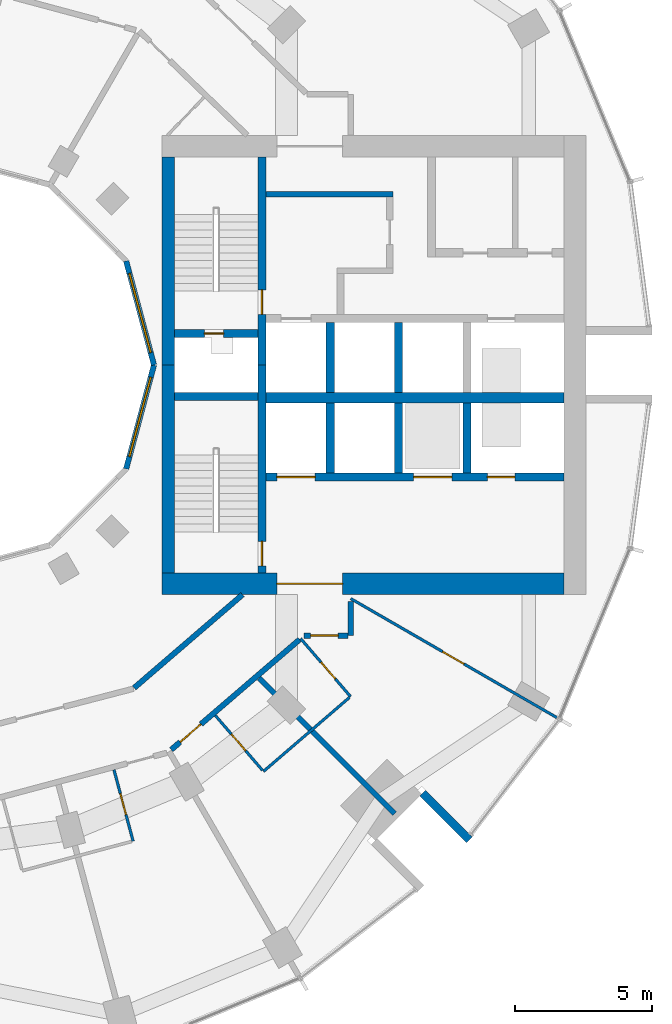
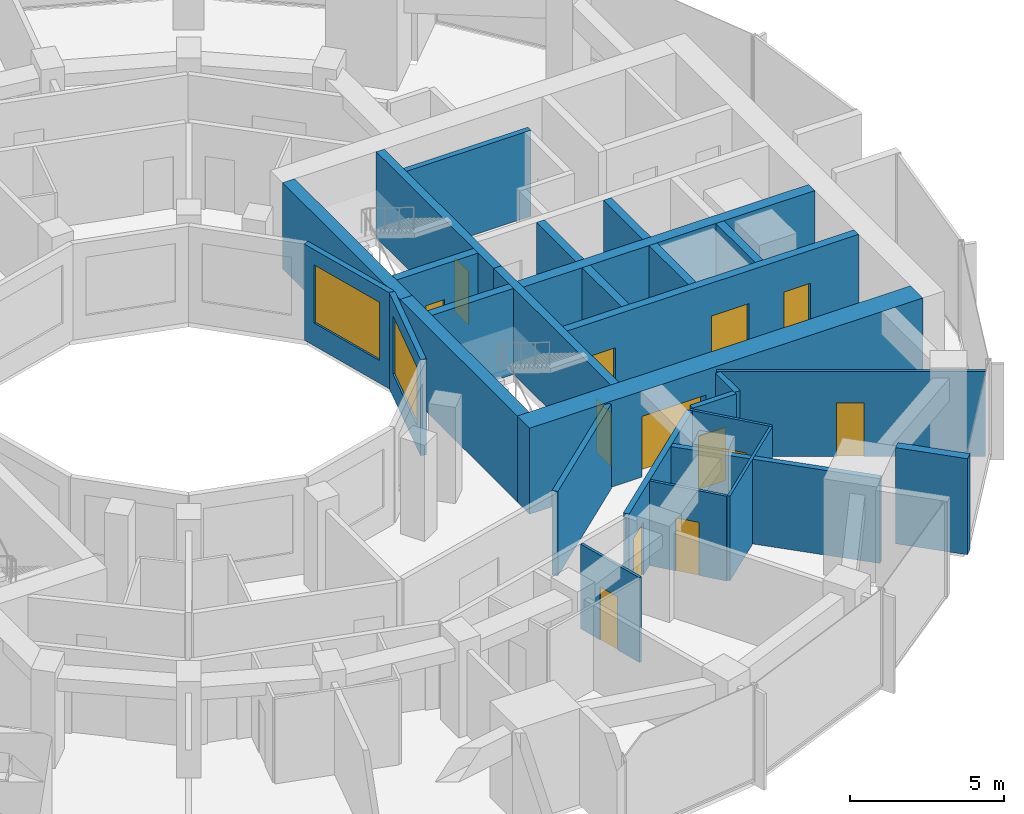
# One storey, part 10 of 15: 28 walls, 13 doors, 2 windows, 15 openings.
"""IFC4 building model written with IfcOpenShell, lengths in metres."""

from ifc_helpers import new_model, si_unit, direction, frame, frame_2d, origin, place, context, subcontext, project, spatial, rectangle, extrude, material, layer, layer_set, type_object, element, fill, save


model = new_model("IFC4")

# Units and contexts
model_context = context("Model", 3, precision=1e-05, world=origin(), true_north=direction((0.0, 1.0)))
body_context = subcontext(model_context, "Body", "Model", "MODEL_VIEW")
ifc_project = project(units=[si_unit("LENGTHUNIT", "METRE"), si_unit("AREAUNIT", "SQUARE_METRE"), si_unit("VOLUMEUNIT", "CUBIC_METRE"), si_unit("PLANEANGLEUNIT", "RADIAN"), si_unit("MASSUNIT", "GRAM", prefix="KILO")], contexts=[model_context])

# Site, building, storey
site_placement = place(None, origin())
site = spatial("IfcSite", under=ifc_project, at=site_placement, CompositionType="ELEMENT")
building_placement = place(site_placement, origin())
building = spatial("IfcBuilding", under=site, at=building_placement, Name="Torre Brocal", CompositionType="ELEMENT")
storey_placement = place(building_placement, frame((0.0, 0.0, 70.60009765625)))
storey = spatial("IfcBuildingStorey", under=building, at=storey_placement, Name="L16", CompositionType="ELEMENT", Elevation=70.60009765625)

# Wall
ifc_material_1 = material(Name="Concrete C80", Category="concrete")
ifc_layer_1 = layer(ifc_material_1, 0.199951171875)
ifc_layer_set_1 = layer_set([ifc_layer_1], Name="Concrete C80")
wall_type_1 = type_object("IfcWallType", Name="CORE WALL 200 C80 UNDER 400 SLAB", PredefinedType="SHEAR", material=ifc_layer_set_1)
wall_1_placement = place(storey_placement, frame((91.699951171875, 81.25, 0.0), z_axis=(0.0, 0.0, 1.0), x_axis=(1.0, 0.0, 0.0)))
element("IfcWall", 1, at=wall_1_placement, inside=storey, type_object=wall_type_1, Name="Wall CW200-80-S400", PredefinedType="SHEAR", context=body_context, shape_type="SweptSolid", body=[
    extrude(rectangle(XDim=4.650146484375, YDim=0.199951171875, at=frame_2d((2.3251953125, 0.0))), origin(), (0.0, 0.0, 1.0), 3.39990234375),
])

# Wall, opening, door
ifc_material_2 = material(Name="Concrete C80", Category="concrete")
ifc_layer_2 = layer(ifc_material_2, 0.300048828125)
ifc_layer_set_2 = layer_set([ifc_layer_2], Name="Concrete C80")
wall_type_2 = type_object("IfcWallType", Name="CORE WALL 300 C80 UNDER 400 SLAB", PredefinedType="SHEAR", material=ifc_layer_set_2)
wall_2_placement = place(storey_placement, frame((91.550048828125, 75.0, 0.0), z_axis=(0.0, 0.0, 1.0), x_axis=(0.0, 1.0, 0.0)))
wall_2 = element("IfcWall", 2, at=wall_2_placement, inside=storey, type_object=wall_type_2, Name="Wall CW300-80-S400", PredefinedType="SHEAR", context=body_context, shape_type="SweptSolid", body=[
    extrude(rectangle(XDim=7.60009765625, YDim=0.300048828125, at=frame_2d((3.800048828125, 0.0))), origin(), (0.0, 0.0, 1.0), 3.39990234375),
])
opening_1_placement = place(wall_2_placement, frame((1.85009765625, 0.0, 0.0)))
opening_1 = element("IfcOpeningElement", 3, at=opening_1_placement, cuts=wall_2, Name="Opening E-D02", PredefinedType="OPENING", context=body_context, shape_type="SweptSolid", body=[
    extrude(rectangle(XDim=0.89990234375, YDim=2.10009765625, at=frame_2d((0.449951171875, 1.050048828125))), frame((0.0, 0.159912109375, 0.0), z_axis=(0.0, -1.0, 0.0), x_axis=(1.0, 0.0, 0.0)), (0.0, 0.0, 1.0), 0.320068359375),
])
ifc_material_3 = material(Name="Steel A653", Category="steel")
door_type_1 = type_object("IfcDoorType", Name="STAIR DOOR FD120 900X2100", OperationType="SINGLE_SWING_RIGHT", PredefinedType="DOOR", material=ifc_material_3)
door_1_placement = place(opening_1_placement, origin())
door_1 = element("IfcDoor", 4, at=door_1_placement, inside=storey, type_object=door_type_1, Name="Door E-D02", OperationType="SINGLE_SWING_LEFT", OverallHeight=2.10009765625, OverallWidth=0.89990234375, PredefinedType="DOOR", context=body_context, shape_type="SweptSolid", body=[
    extrude(rectangle(XDim=0.89990234375, YDim=2.10009765625, at=frame_2d((0.449951171875, 1.050048828125))), frame((0.0, 0.02490234375, 0.0), z_axis=(0.0, -1.0, 0.0), x_axis=(1.0, 0.0, 0.0)), (0.0, 0.0, 1.0), 0.050048828125),
])
fill(opening_1, door_1)

wall_3_placement = place(storey_placement, frame((91.550048828125, 67.39990234375, 0.0), z_axis=(0.0, 0.0, 1.0), x_axis=(0.0, 1.0, 0.0)))
wall_3 = element("IfcWall", 5, at=wall_3_placement, inside=storey, type_object=wall_type_2, Name="Wall CW300-80-S400", PredefinedType="SHEAR", context=body_context, shape_type="SweptSolid", body=[
    extrude(rectangle(XDim=7.60009765625, YDim=0.300048828125, at=frame_2d((3.800048828125, 0.0))), origin(), (0.0, 0.0, 1.0), 3.39990234375),
])
opening_2_placement = place(wall_3_placement, frame((0.25, 0.0, 0.0)))
opening_2 = element("IfcOpeningElement", 6, at=opening_2_placement, cuts=wall_3, Name="Opening E-D03", PredefinedType="OPENING", context=body_context, shape_type="SweptSolid", body=[
    extrude(rectangle(XDim=0.89990234375, YDim=2.10009765625, at=frame_2d((0.449951171875, 1.050048828125))), frame((0.0, 0.159912109375, 0.0), z_axis=(0.0, -1.0, 0.0), x_axis=(1.0, 0.0, 0.0)), (0.0, 0.0, 1.0), 0.320068359375),
])
door_2_placement = place(opening_2_placement, origin())
door_2 = element("IfcDoor", 7, at=door_2_placement, inside=storey, type_object=door_type_1, Name="Door E-D03", OperationType="SINGLE_SWING_LEFT", OverallHeight=2.10009765625, OverallWidth=0.89990234375, PredefinedType="DOOR", context=body_context, shape_type="SweptSolid", body=[
    extrude(rectangle(XDim=0.89990234375, YDim=2.10009765625, at=frame_2d((0.449951171875, 1.050048828125))), frame((0.0, 0.02490234375, 0.0), z_axis=(0.0, -1.0, 0.0), x_axis=(1.0, 0.0, 0.0)), (0.0, 0.0, 1.0), 0.050048828125),
])
fill(opening_2, door_2)

wall_4_placement = place(storey_placement, frame((88.35009765625, 76.14990234375, 0.0), z_axis=(0.0, 0.0, 1.0), x_axis=(1.0, 0.0, 0.0)))
wall_4 = element("IfcWall", 8, at=wall_4_placement, inside=storey, type_object=wall_type_2, Name="Wall CW300-80-S400", PredefinedType="SHEAR", context=body_context, shape_type="SweptSolid", body=[
    extrude(rectangle(XDim=3.0498046875, YDim=0.300048828125, at=frame_2d((1.52490234375, 0.0))), origin(), (0.0, 0.0, 1.0), 3.39990234375),
])
opening_3_placement = place(wall_4_placement, frame((1.10009765625, 0.0, 0.0)))
opening_3 = element("IfcOpeningElement", 9, at=opening_3_placement, cuts=wall_4, Name="Opening E-D01", PredefinedType="OPENING", context=body_context, shape_type="SweptSolid", body=[
    extrude(rectangle(XDim=0.699951171875, YDim=2.0, at=frame_2d((0.35009765625, 1.0))), frame((0.0, 0.159912109375, 0.0), z_axis=(0.0, -1.0, 0.0), x_axis=(1.0, 0.0, 0.0)), (0.0, 0.0, 1.0), 0.320068359375),
])
ifc_material_4 = material(Name="Steel A653", Category="steel")
door_type_2 = type_object("IfcDoorType", Name="RISER DOOR FD120 700X2000", OperationType="SINGLE_SWING_LEFT", PredefinedType="DOOR", material=ifc_material_4)
door_3_placement = place(opening_3_placement, frame((0.699951171875, 0.0, 0.0), z_axis=(0.0, 0.0, 1.0), x_axis=(-1.0, 0.0, 0.0)))
door_3 = element("IfcDoor", 10, at=door_3_placement, inside=storey, type_object=door_type_2, Name="Door E-D01", OperationType="SINGLE_SWING_RIGHT", OverallHeight=2.0, OverallWidth=0.699951171875, PredefinedType="DOOR", context=body_context, shape_type="SweptSolid", body=[
    extrude(rectangle(XDim=0.699951171875, YDim=2.0, at=frame_2d((0.35009765625, 1.0))), frame((0.0, 0.02490234375, 0.0), z_axis=(0.0, -1.0, 0.0), x_axis=(1.0, 0.0, 0.0)), (0.0, 0.0, 1.0), 0.050048828125),
])
fill(opening_3, door_3)

# Wall
wall_5_placement = place(storey_placement, frame((88.35009765625, 73.85009765625, 0.0), z_axis=(0.0, 0.0, 1.0), x_axis=(1.0, 0.0, 0.0)))
element("IfcWall", 11, at=wall_5_placement, inside=storey, type_object=wall_type_2, Name="Wall CW300-80-S400", PredefinedType="SHEAR", context=body_context, shape_type="SweptSolid", body=[
    extrude(rectangle(XDim=3.0498046875, YDim=0.300048828125, at=frame_2d((1.52490234375, 0.0))), origin(), (0.0, 0.0, 1.0), 3.39990234375),
])

# Wall, openings, doors
wall_6_placement = place(storey_placement, frame((91.699951171875, 70.89990234375, 0.0), z_axis=(0.0, 0.0, 1.0), x_axis=(1.0, 0.0, 0.0)))
wall_6 = element("IfcWall", 12, at=wall_6_placement, inside=storey, type_object=wall_type_2, Name="Wall CW300-80-S400", PredefinedType="SHEAR", context=body_context, shape_type="SweptSolid", body=[
    extrude(rectangle(XDim=10.900146484375, YDim=0.300048828125, at=frame_2d((5.4501953125, 0.0))), origin(), (0.0, 0.0, 1.0), 3.39990234375),
])
opening_4_placement = place(wall_6_placement, frame((0.39990234375, 0.0, 0.0)))
opening_4 = element("IfcOpeningElement", 13, at=opening_4_placement, cuts=wall_6, Name="Opening LD14", PredefinedType="OPENING", context=body_context, shape_type="SweptSolid", body=[
    extrude(rectangle(XDim=1.39990234375, YDim=2.10009765625, at=frame_2d((0.699951171875, 1.050048828125))), frame((0.0, 0.159912109375, 0.0), z_axis=(0.0, -1.0, 0.0), x_axis=(1.0, 0.0, 0.0)), (0.0, 0.0, 1.0), 0.320068359375),
])
opening_5_placement = place(wall_6_placement, frame((5.39990234375, 0.0, 0.0)))
opening_5 = element("IfcOpeningElement", 14, at=opening_5_placement, cuts=wall_6, Name="Opening LD14", PredefinedType="OPENING", context=body_context, shape_type="SweptSolid", body=[
    extrude(rectangle(XDim=1.39990234375, YDim=2.10009765625, at=frame_2d((0.699951171875, 1.050048828125))), frame((0.0, 0.159912109375, 0.0), z_axis=(0.0, -1.0, 0.0), x_axis=(1.0, 0.0, 0.0)), (0.0, 0.0, 1.0), 0.320068359375),
])
opening_6_placement = place(wall_6_placement, frame((8.10009765625, 0.0, 0.0)))
opening_6 = element("IfcOpeningElement", 15, at=opening_6_placement, cuts=wall_6, Name="Opening LD10", PredefinedType="OPENING", context=body_context, shape_type="SweptSolid", body=[
    extrude(rectangle(XDim=1.0, YDim=2.10009765625, at=frame_2d((0.5, 1.050048828125))), frame((0.0, 0.159912109375, 0.0), z_axis=(0.0, -1.0, 0.0), x_axis=(1.0, 0.0, 0.0)), (0.0, 0.0, 1.0), 0.320068359375),
])
ifc_material_5 = material(Name="Stainless steel AISI 316", Category="steel")
door_type_3 = type_object("IfcDoorType", Name="LIFT LANDING DOOR 1000X2100", OperationType="DOUBLE_DOOR_SLIDING", PredefinedType="DOOR", material=ifc_material_5)
door_4_placement = place(opening_6_placement, origin())
door_4 = element("IfcDoor", 16, at=door_4_placement, inside=storey, type_object=door_type_3, Name="Door LD10", OperationType="DOUBLE_DOOR_SLIDING", OverallHeight=2.10009765625, OverallWidth=1.0, PredefinedType="DOOR", context=body_context, shape_type="SweptSolid", body=[
    extrude(rectangle(XDim=1.0, YDim=2.10009765625, at=frame_2d((0.5, 1.050048828125))), frame((0.0, 0.02490234375, 0.0), z_axis=(0.0, -1.0, 0.0), x_axis=(1.0, 0.0, 0.0)), (0.0, 0.0, 1.0), 0.050048828125),
])
fill(opening_6, door_4)
ifc_material_6 = material(Name="Stainless steel AISI 316", Category="steel")
door_type_4 = type_object("IfcDoorType", Name="LIFT LANDING DOOR 1400X2100", OperationType="DOUBLE_DOOR_SLIDING", PredefinedType="DOOR", material=ifc_material_6)
door_5_placement = place(opening_4_placement, origin())
door_5 = element("IfcDoor", 17, at=door_5_placement, inside=storey, type_object=door_type_4, Name="Door LD14", OperationType="DOUBLE_DOOR_SLIDING", OverallHeight=2.10009765625, OverallWidth=1.39990234375, PredefinedType="DOOR", context=body_context, shape_type="SweptSolid", body=[
    extrude(rectangle(XDim=1.39990234375, YDim=2.10009765625, at=frame_2d((0.699951171875, 1.050048828125))), frame((0.0, 0.02490234375, 0.0), z_axis=(0.0, -1.0, 0.0), x_axis=(1.0, 0.0, 0.0)), (0.0, 0.0, 1.0), 0.050048828125),
])
fill(opening_4, door_5)
door_6_placement = place(opening_5_placement, origin())
door_6 = element("IfcDoor", 18, at=door_6_placement, inside=storey, type_object=door_type_4, Name="Door LD14", OperationType="DOUBLE_DOOR_SLIDING", OverallHeight=2.10009765625, OverallWidth=1.39990234375, PredefinedType="DOOR", context=body_context, shape_type="SweptSolid", body=[
    extrude(rectangle(XDim=1.39990234375, YDim=2.10009765625, at=frame_2d((0.699951171875, 1.050048828125))), frame((0.0, 0.02490234375, 0.0), z_axis=(0.0, -1.0, 0.0), x_axis=(1.0, 0.0, 0.0)), (0.0, 0.0, 1.0), 0.050048828125),
])
fill(opening_5, door_6)

# Walls
for number, where, z_axis, x_axis, name in (
    (19, (94.050048828125, 74.0, 0.0), (0.0, 0.0, 1.0), (0.0, 1.0, 0.0), "Wall CW300-80-S400"),
    (20, (96.550048828125, 74.0, 0.0), (0.0, 0.0, 1.0), (0.0, 1.0, 0.0), "Wall CW300-80-S400"),
    (21, (94.050048828125, 71.050048828125, 0.0), (0.0, 0.0, 1.0), (0.0, 1.0, 0.0), "Wall CW300-80-S400"),
    (22, (96.550048828125, 71.050048828125, 0.0), (0.0, 0.0, 1.0), (0.0, 1.0, 0.0), "Wall CW300-80-S400"),
    (23, (99.050048828125, 71.050048828125, 0.0), (0.0, 0.0, 1.0), (0.0, 1.0, 0.0), "Wall CW300-80-S400"),
):
    element("IfcWall", number, at=place(storey_placement, frame(where, z_axis=z_axis, x_axis=x_axis)), inside=storey, type_object=wall_type_2, Name=name, PredefinedType="SHEAR", context=body_context, shape_type="SweptSolid", body=[
        extrude(rectangle(XDim=2.550048828125, YDim=0.300048828125, at=frame_2d((1.27490234375, 0.0))), origin(), (0.0, 0.0, 1.0), 3.39990234375),
    ])
ifc_material_7 = material(Name="Concrete C80", Category="concrete")
ifc_layer_3 = layer(ifc_material_7, 0.39990234375)
ifc_layer_set_3 = layer_set([ifc_layer_3], Name="Concrete C80")
wall_type_3 = type_object("IfcWallType", Name="CORE WALL 400 C80 UNDER 400 SLAB", PredefinedType="SHEAR", material=ifc_layer_set_3)
wall_7_placement = place(storey_placement, frame((91.699951171875, 73.800048828125, 0.0), z_axis=(0.0, 0.0, 1.0), x_axis=(1.0, 0.0, 0.0)))
element("IfcWall", 24, at=wall_7_placement, inside=storey, type_object=wall_type_3, Name="Wall CW400-80-S400", PredefinedType="SHEAR", context=body_context, shape_type="SweptSolid", body=[
    extrude(rectangle(XDim=10.900146484375, YDim=0.39990234375, at=frame_2d((5.4501953125, 0.0))), origin(), (0.0, 0.0, 1.0), 3.39990234375),
])
ifc_material_8 = material(Name="Concrete C80", Category="concrete")
ifc_layer_4 = layer(ifc_material_8, 0.449951171875)
ifc_layer_set_4 = layer_set([ifc_layer_4], Name="Concrete C80")
wall_type_4 = type_object("IfcWallType", Name="CORE WALL 450 C80 UNDER 400 SLAB", PredefinedType="SHEAR", material=ifc_layer_set_4)
for number, where, z_axis, x_axis, name in (
    (25, (88.125, 75.0, 0.0), (0.0, 0.0, 1.0), (0.0, 1.0, 0.0), "Wall CW450-80-S400"),
    (26, (88.125, 67.39990234375, 0.0), (0.0, 0.0, 1.0), (0.0, 1.0, 0.0), "Wall CW450-80-S400"),
):
    element("IfcWall", number, at=place(storey_placement, frame(where, z_axis=z_axis, x_axis=x_axis)), inside=storey, type_object=wall_type_4, Name=name, PredefinedType="SHEAR", context=body_context, shape_type="SweptSolid", body=[
        extrude(rectangle(XDim=7.60009765625, YDim=0.449951171875, at=frame_2d((3.800048828125, 0.0))), origin(), (0.0, 0.0, 1.0), 3.39990234375),
    ])

# Wall, opening, door
ifc_material_9 = material(Name="Concrete C80", Category="concrete")
ifc_layer_5 = layer(ifc_material_9, 0.800048828125)
ifc_layer_set_5 = layer_set([ifc_layer_5], Name="Concrete C80")
wall_type_5 = type_object("IfcWallType", Name="CORE WALL 800 C80 UNDER 400 SLAB", PredefinedType="SHEAR", material=ifc_layer_set_5)
wall_8_placement = place(storey_placement, frame((87.89990234375, 67.0, 0.0), z_axis=(0.0, 0.0, 1.0), x_axis=(1.0, 0.0, 0.0)))
wall_8 = element("IfcWall", 27, at=wall_8_placement, inside=storey, type_object=wall_type_5, Name="Wall CW800-80-S400", PredefinedType="SHEAR", context=body_context, shape_type="SweptSolid", body=[
    extrude(rectangle(XDim=14.7001953125, YDim=0.800048828125, at=frame_2d((7.35009765625, 0.0))), origin(), (0.0, 0.0, 1.0), 3.39990234375),
])
opening_7_placement = place(wall_8_placement, frame((4.199951171875, 0.0, 0.0)))
opening_7 = element("IfcOpeningElement", 28, at=opening_7_placement, cuts=wall_8, Name="Opening E-D27", PredefinedType="OPENING", context=body_context, shape_type="SweptSolid", body=[
    extrude(rectangle(XDim=2.39990234375, YDim=2.39990234375, at=frame_2d((1.199951171875, 1.199951171875))), frame((0.0, 0.409912109375, 0.0), z_axis=(0.0, -1.0, 0.0), x_axis=(1.0, 0.0, 0.0)), (0.0, 0.0, 1.0), 0.820068359375),
])
ifc_material_10 = material(Name="Steel A653", Category="steel")
door_type_5 = type_object("IfcDoorType", Name="DOUBLE FIRE DOOR FD90 2400X2400", OperationType="DOUBLE_DOOR_SINGLE_SWING", PredefinedType="DOOR", material=ifc_material_10)
door_7_placement = place(opening_7_placement, origin())
door_7 = element("IfcDoor", 29, at=door_7_placement, inside=storey, type_object=door_type_5, Name="Door E-D27", OperationType="DOUBLE_DOOR_SINGLE_SWING", OverallHeight=2.39990234375, OverallWidth=2.39990234375, PredefinedType="DOOR", context=body_context, shape_type="SweptSolid", body=[
    extrude(rectangle(XDim=2.39990234375, YDim=2.39990234375, at=frame_2d((1.199951171875, 1.199951171875))), frame((0.0, 0.02490234375, 0.0), z_axis=(0.0, -1.0, 0.0), x_axis=(1.0, 0.0, 0.0)), (0.0, 0.0, 1.0), 0.050048828125),
])
fill(opening_7, door_7)

# Wall
ifc_material_11 = material(Name="Concrete C80", Category="concrete")
ifc_layer_6 = layer(ifc_material_11, 0.300048828125)
ifc_layer_set_6 = layer_set([ifc_layer_6], Name="Concrete C80")
wall_type_6 = type_object("IfcWallType", Name="NOTCH RETURN WALL 300 C80", PredefinedType="NOTDEFINED", material=ifc_layer_set_6)
wall_9_placement = place(storey_placement, frame((97.43017578125, 59.337646484375, 0.0), z_axis=(0.0, 0.0, 1.0), x_axis=(0.707106781187, -0.707106781187, 0.0)))
element("IfcWall", 30, at=wall_9_placement, inside=storey, type_object=wall_type_6, Name="NOTCH RETURN WALL", PredefinedType="NOTDEFINED", context=body_context, shape_type="SweptSolid", body=[
    extrude(rectangle(XDim=2.415771484375, YDim=0.300048828125, at=frame_2d((1.2080078125, 0.0))), origin(), (0.0, 0.0, 1.0), 3.7998046875),
])

# Wall, opening, door
ifc_material_12 = material(Name="Gypsum board", Category="Gypsum")
ifc_layer_7 = layer(ifc_material_12, 0.10009765625)
ifc_layer_set_7 = layer_set([ifc_layer_7], Name="Gypsum board")
wall_type_7 = type_object("IfcWallType", Name="PARTITION 100", PredefinedType="PARTITIONING", material=ifc_layer_set_7)
wall_10_placement = place(storey_placement, frame((86.139892578125, 60.196044921875, 0.0), z_axis=(0.0, 0.0, 1.0), x_axis=(0.258945475746, -0.965891940432, 0.0)))
wall_10 = element("IfcWall", 31, at=wall_10_placement, inside=storey, type_object=wall_type_7, Name="BATHROOM WALL", PredefinedType="PARTITIONING", context=body_context, shape_type="SweptSolid", body=[
    extrude(rectangle(XDim=2.7001953125, YDim=0.10009765625, at=frame_2d((1.35009765625, 0.0))), origin(), (0.0, 0.0, 1.0), 3.349853515625),
])
opening_8_placement = place(wall_10_placement, frame((0.89990234375, 0.0, 0.0)))
opening_8 = element("IfcOpeningElement", 32, at=opening_8_placement, cuts=wall_10, Name="Opening H04-D26", PredefinedType="OPENING", context=body_context, shape_type="SweptSolid", body=[
    extrude(rectangle(XDim=0.800048828125, YDim=2.10009765625, at=frame_2d((0.39990234375, 1.050048828125))), frame((0.0, 0.06005859375, 0.0), z_axis=(0.0, -1.0, 0.0), x_axis=(1.0, 0.0, 0.0)), (0.0, 0.0, 1.0), 0.1201171875),
])
ifc_material_13 = material(Name="Timber", Category="wood")
door_type_6 = type_object("IfcDoorType", Name="BATHROOM DOOR 800X2100", OperationType="SINGLE_SWING_LEFT", PredefinedType="DOOR", material=ifc_material_13)
door_8_placement = place(opening_8_placement, frame((0.800048828125, 0.0, 0.0), z_axis=(0.0, 0.0, 1.0), x_axis=(-1.0, 0.0, 0.0)))
door_8 = element("IfcDoor", 33, at=door_8_placement, inside=storey, type_object=door_type_6, Name="H04-D26", OperationType="SINGLE_SWING_RIGHT", OverallHeight=2.10009765625, OverallWidth=0.800048828125, PredefinedType="DOOR", context=body_context, shape_type="SweptSolid", body=[
    extrude(rectangle(XDim=0.800048828125, YDim=2.10009765625, at=frame_2d((0.39990234375, 1.050048828125))), frame((0.0, 0.02490234375, 0.0), z_axis=(0.0, -1.0, 0.0), x_axis=(1.0, 0.0, 0.0)), (0.0, 0.0, 1.0), 0.050048828125),
])
fill(opening_8, door_8)

wall_11_placement = place(storey_placement, frame((89.846435546875, 62.181884765625, 0.0), z_axis=(0.0, 0.0, 1.0), x_axis=(0.652095405055, -0.758136915541, 0.0)))
wall_11 = element("IfcWall", 34, at=wall_11_placement, inside=storey, type_object=wall_type_7, Name="BATHROOM WALL", PredefinedType="PARTITIONING", context=body_context, shape_type="SweptSolid", body=[
    extrude(rectangle(XDim=2.64990234375, YDim=0.10009765625, at=frame_2d((1.324951171875, 0.0))), origin(), (0.0, 0.0, 1.0), 3.349853515625),
])
opening_9_placement = place(wall_11_placement, frame((0.899658203125, 0.0, 0.0)))
opening_9 = element("IfcOpeningElement", 35, at=opening_9_placement, cuts=wall_11, Name="Opening H04-D24", PredefinedType="OPENING", context=body_context, shape_type="SweptSolid", body=[
    extrude(rectangle(XDim=0.800048828125, YDim=2.10009765625, at=frame_2d((0.39990234375, 1.050048828125))), frame((0.0, 0.06005859375, 0.0), z_axis=(0.0, -1.0, 0.0), x_axis=(1.0, 0.0, 0.0)), (0.0, 0.0, 1.0), 0.1201171875),
])
door_9_placement = place(opening_9_placement, origin())
door_9 = element("IfcDoor", 36, at=door_9_placement, inside=storey, type_object=door_type_6, Name="H04-D24", OperationType="SINGLE_SWING_LEFT", OverallHeight=2.10009765625, OverallWidth=0.800048828125, PredefinedType="DOOR", context=body_context, shape_type="SweptSolid", body=[
    extrude(rectangle(XDim=0.800048828125, YDim=2.10009765625, at=frame_2d((0.39990234375, 1.050048828125))), frame((0.0, 0.02490234375, 0.0), z_axis=(0.0, -1.0, 0.0), x_axis=(1.0, 0.0, 0.0)), (0.0, 0.0, 1.0), 0.050048828125),
])
fill(opening_9, door_9)

# Wall
wall_12_placement = place(storey_placement, frame((91.60693359375, 60.135009765625, 0.0), z_axis=(0.0, 0.0, 1.0), x_axis=(0.758121792225, 0.65211298726, 0.0)))
element("IfcWall", 37, at=wall_12_placement, inside=storey, type_object=wall_type_7, Name="BATHROOM WALL", PredefinedType="PARTITIONING", context=body_context, shape_type="SweptSolid", body=[
    extrude(rectangle(XDim=4.150146484375, YDim=0.10009765625, at=frame_2d((2.0751953125, 0.0))), origin(), (0.0, 0.0, 1.0), 3.349853515625),
])

# Wall, opening, door
wall_13_placement = place(storey_placement, frame((92.965087890625, 64.996826171875, 0.0), z_axis=(0.0, 0.0, 1.0), x_axis=(0.652104424393, -0.758129157655, 0.0)))
wall_13 = element("IfcWall", 38, at=wall_13_placement, inside=storey, type_object=wall_type_7, Name="BATHROOM WALL", PredefinedType="PARTITIONING", context=body_context, shape_type="SweptSolid", body=[
    extrude(rectangle(XDim=2.800048828125, YDim=0.10009765625, at=frame_2d((1.39990234375, 0.0))), origin(), (0.0, 0.0, 1.0), 3.349853515625),
])
opening_10_placement = place(wall_13_placement, frame((1.14990234375, 0.0, 0.0)))
opening_10 = element("IfcOpeningElement", 39, at=opening_10_placement, cuts=wall_13, Name="Opening H04-D21", PredefinedType="OPENING", context=body_context, shape_type="SweptSolid", body=[
    extrude(rectangle(XDim=0.800048828125, YDim=2.10009765625, at=frame_2d((0.39990234375, 1.050048828125))), frame((0.0, 0.06005859375, 0.0), z_axis=(0.0, -1.0, 0.0), x_axis=(1.0, 0.0, 0.0)), (0.0, 0.0, 1.0), 0.1201171875),
])
door_10_placement = place(opening_10_placement, frame((0.800048828125, 0.0, 0.0), z_axis=(0.0, 0.0, 1.0), x_axis=(-1.0, 0.0, 0.0)))
door_10 = element("IfcDoor", 40, at=door_10_placement, inside=storey, type_object=door_type_6, Name="H04-D21", OperationType="SINGLE_SWING_LEFT", OverallHeight=2.10009765625, OverallWidth=0.800048828125, PredefinedType="DOOR", context=body_context, shape_type="SweptSolid", body=[
    extrude(rectangle(XDim=0.800048828125, YDim=2.10009765625, at=frame_2d((0.39990234375, 1.050048828125))), frame((0.0, 0.02490234375, 0.0), z_axis=(0.0, -1.0, 0.0), x_axis=(1.0, 0.0, 0.0)), (0.0, 0.0, 1.0), 0.050048828125),
])
fill(opening_10, door_10)

wall_14_placement = place(storey_placement, frame((94.800048828125, 66.455078125, 0.0), z_axis=(0.0, 0.0, 1.0), x_axis=(0.86602264145, -0.500004784474, 0.0)))
wall_14 = element("IfcWall", 41, at=wall_14_placement, inside=storey, type_object=wall_type_7, Name="ROOM PARTITION", PredefinedType="PARTITIONING", context=body_context, shape_type="SweptSolid", body=[
    extrude(rectangle(XDim=8.7080078125, YDim=0.10009765625, at=frame_2d((4.35400390625, 0.0))), origin(), (0.0, 0.0, 1.0), 3.349853515625),
])
opening_11_placement = place(wall_14_placement, frame((3.87890625, 0.0, 0.0)))
opening_11 = element("IfcOpeningElement", 42, at=opening_11_placement, cuts=wall_14, Name="Opening H04-D22", PredefinedType="OPENING", context=body_context, shape_type="SweptSolid", body=[
    extrude(rectangle(XDim=0.89990234375, YDim=2.10009765625, at=frame_2d((0.449951171875, 1.050048828125))), frame((0.0, 0.06005859375, 0.0), z_axis=(0.0, -1.0, 0.0), x_axis=(1.0, 0.0, 0.0)), (0.0, 0.0, 1.0), 0.1201171875),
])
ifc_material_14 = material(Name="Timber", Category="wood")
door_type_7 = type_object("IfcDoorType", Name="ROOM DOOR 900X2100", OperationType="SINGLE_SWING_LEFT", PredefinedType="DOOR", material=ifc_material_14)
door_11_placement = place(opening_11_placement, origin())
door_11 = element("IfcDoor", 43, at=door_11_placement, inside=storey, type_object=door_type_7, Name="H04-D22", OperationType="SINGLE_SWING_LEFT", OverallHeight=2.10009765625, OverallWidth=0.89990234375, PredefinedType="DOOR", context=body_context, shape_type="SweptSolid", body=[
    extrude(rectangle(XDim=0.89990234375, YDim=2.10009765625, at=frame_2d((0.449951171875, 1.050048828125))), frame((0.0, 0.02490234375, 0.0), z_axis=(0.0, -1.0, 0.0), x_axis=(1.0, 0.0, 0.0)), (0.0, 0.0, 1.0), 0.050048828125),
])
fill(opening_11, door_11)

# Wall
ifc_material_15 = material(Name="Gypsum board", Category="Gypsum")
ifc_layer_8 = layer(ifc_material_15, 0.199951171875)
ifc_layer_set_8 = layer_set([ifc_layer_8], Name="Gypsum board")
wall_type_8 = type_object("IfcWallType", Name="PARTITION 200 EI60", PredefinedType="PARTITIONING", material=ifc_layer_set_8)
wall_15_placement = place(storey_placement, frame((86.876953125, 63.18896484375, 0.0), z_axis=(0.0, 0.0, 1.0), x_axis=(0.758088707506, 0.652151448325, 0.0)))
element("IfcWall", 44, at=wall_15_placement, inside=storey, type_object=wall_type_8, Name="GUESTROOM CORRIDOR WALL", PredefinedType="PARTITIONING", context=body_context, shape_type="SweptSolid", body=[
    extrude(rectangle(XDim=5.22900390625, YDim=0.199951171875, at=frame_2d((2.614501953125, 0.0))), origin(), (0.0, 0.0, 1.0), 3.349853515625),
])

# Wall, opening, door
wall_16_placement = place(storey_placement, frame((88.234619140625, 60.931396484375, 0.0), z_axis=(0.0, 0.0, 1.0), x_axis=(0.758799498714, 0.651324282329, 0.0)))
wall_16 = element("IfcWall", 45, at=wall_16_placement, inside=storey, type_object=wall_type_8, Name="GUESTROOM CORRIDOR WALL", PredefinedType="PARTITIONING", context=body_context, shape_type="SweptSolid", body=[
    extrude(rectangle(XDim=6.185546875, YDim=0.199951171875, at=frame_2d((3.0927734375, 0.0))), origin(), (0.0, 0.0, 1.0), 3.349853515625),
])
opening_12_placement = place(wall_16_placement, frame((0.430419921875, 0.0, 0.0)))
opening_12 = element("IfcOpeningElement", 46, at=opening_12_placement, cuts=wall_16, Name="Opening H04-D23", PredefinedType="OPENING", context=body_context, shape_type="SweptSolid", body=[
    extrude(rectangle(XDim=1.0, YDim=2.10009765625, at=frame_2d((0.5, 1.050048828125))), frame((0.0, 0.10986328125, 0.0), z_axis=(0.0, -1.0, 0.0), x_axis=(1.0, 0.0, 0.0)), (0.0, 0.0, 1.0), 0.219970703125),
])
ifc_material_16 = material(Name="Timber", Category="wood")
door_type_8 = type_object("IfcDoorType", Name="FLAT ENTRY DOOR FD30S 1000X2100", OperationType="SINGLE_SWING_RIGHT", PredefinedType="DOOR", material=ifc_material_16)
door_12_placement = place(opening_12_placement, frame((1.0, 0.0, 0.0), z_axis=(0.0, 0.0, 1.0), x_axis=(-1.0, 0.0, 0.0)))
door_12 = element("IfcDoor", 47, at=door_12_placement, inside=storey, type_object=door_type_8, Name="H04-D23", OperationType="SINGLE_SWING_RIGHT", OverallHeight=2.10009765625, OverallWidth=1.0, PredefinedType="DOOR", context=body_context, shape_type="SweptSolid", body=[
    extrude(rectangle(XDim=1.0, YDim=2.10009765625, at=frame_2d((0.5, 1.050048828125))), frame((0.0, 0.02490234375, 0.0), z_axis=(0.0, -1.0, 0.0), x_axis=(1.0, 0.0, 0.0)), (0.0, 0.0, 1.0), 0.050048828125),
])
fill(opening_12, door_12)

# Wall
wall_17_placement = place(storey_placement, frame((91.4482421875, 63.546875, 0.0), z_axis=(0.0, 0.0, 1.0), x_axis=(0.706984810649, -0.707228730688, 0.0)))
element("IfcWall", 48, at=wall_17_placement, inside=storey, type_object=wall_type_8, Name="BATHROOM WALL", PredefinedType="PARTITIONING", context=body_context, shape_type="SweptSolid", body=[
    extrude(rectangle(XDim=7.00634765625, YDim=0.199951171875, at=frame_2d((3.503173828125, 0.0))), origin(), (0.0, 0.0, 1.0), 3.349853515625),
])

# Wall, opening, door
wall_18_placement = place(storey_placement, frame((93.0849609375, 65.10009765625, 0.0), z_axis=(0.0, 0.0, 1.0), x_axis=(1.0, 0.0, 0.0)))
wall_18 = element("IfcWall", 49, at=wall_18_placement, inside=storey, type_object=wall_type_8, Name="GUESTROOM CORRIDOR WALL", PredefinedType="PARTITIONING", context=body_context, shape_type="SweptSolid", body=[
    extrude(rectangle(XDim=1.614990234375, YDim=0.199951171875, at=frame_2d((0.8076171875, 0.0))), origin(), (0.0, 0.0, 1.0), 3.349853515625),
])
opening_13_placement = place(wall_18_placement, frame((0.25, 0.0, 0.0)))
opening_13 = element("IfcOpeningElement", 50, at=opening_13_placement, cuts=wall_18, Name="Opening H04-D20", PredefinedType="OPENING", context=body_context, shape_type="SweptSolid", body=[
    extrude(rectangle(XDim=1.0, YDim=2.10009765625, at=frame_2d((0.5, 1.050048828125))), frame((0.0, 0.10986328125, 0.0), z_axis=(0.0, -1.0, 0.0), x_axis=(1.0, 0.0, 0.0)), (0.0, 0.0, 1.0), 0.219970703125),
])
door_13_placement = place(opening_13_placement, frame((1.0, 0.0, 0.0), z_axis=(0.0, 0.0, 1.0), x_axis=(-1.0, 0.0, 0.0)))
door_13 = element("IfcDoor", 51, at=door_13_placement, inside=storey, type_object=door_type_8, Name="H04-D20", OperationType="SINGLE_SWING_LEFT", OverallHeight=2.10009765625, OverallWidth=1.0, PredefinedType="DOOR", context=body_context, shape_type="SweptSolid", body=[
    extrude(rectangle(XDim=1.0, YDim=2.10009765625, at=frame_2d((0.5, 1.050048828125))), frame((0.0, 0.02490234375, 0.0), z_axis=(0.0, -1.0, 0.0), x_axis=(1.0, 0.0, 0.0)), (0.0, 0.0, 1.0), 0.050048828125),
])
fill(opening_13, door_13)

# Wall
wall_19_placement = place(storey_placement, frame((94.800048828125, 65.10009765625, 0.0), z_axis=(0.0, 0.0, 1.0), x_axis=(0.0, 1.0, 0.0)))
element("IfcWall", 52, at=wall_19_placement, inside=storey, type_object=wall_type_8, Name="GUESTROOM CORRIDOR WALL", PredefinedType="PARTITIONING", context=body_context, shape_type="SweptSolid", body=[
    extrude(rectangle(XDim=1.25, YDim=0.199951171875, at=frame_2d((0.625, 0.0))), origin(), (0.0, 0.0, 1.0), 3.349853515625),
])

# Wall, opening, window
ifc_material_17 = material(Name="Concrete C40", Category="concrete")
ifc_layer_9 = layer(ifc_material_17, 0.199951171875)
ifc_layer_set_9 = layer_set([ifc_layer_9], Name="Concrete C40")
wall_type_9 = type_object("IfcWallType", Name="WELL FACADE WALL 200", PredefinedType="NOTDEFINED", material=ifc_layer_set_9)
wall_20_placement = place(storey_placement, frame((87.603515625, 75.0, 0.0), z_axis=(0.0, 0.0, 1.0), x_axis=(-0.258789828301, 0.965933654434, 0.0)))
wall_20 = element("IfcWall", 53, at=wall_20_placement, inside=storey, type_object=wall_type_9, Name="WELL FACADE WALL", PredefinedType="NOTDEFINED", context=body_context, shape_type="SweptSolid", body=[
    extrude(rectangle(XDim=3.935791015625, YDim=0.199951171875, at=frame_2d((1.9677734375, 0.0))), origin(), (0.0, 0.0, 1.0), 3.7998046875),
])
opening_14_placement = place(wall_20_placement, frame((0.468017578125, 0.0, 0.89990234375)))
opening_14 = element("IfcOpeningElement", 54, at=opening_14_placement, cuts=wall_20, Name="Opening W1", PredefinedType="OPENING", context=body_context, shape_type="SweptSolid", body=[
    extrude(rectangle(XDim=3.0, YDim=2.300048828125, at=frame_2d((1.5, 1.14990234375))), frame((0.0, 0.10986328125, 0.0), z_axis=(0.0, -1.0, 0.0), x_axis=(1.0, 0.0, 0.0)), (0.0, 0.0, 1.0), 0.219970703125),
])
ifc_material_18 = material(Name="Aluminium and glass", Category="aluminium")
window_type = type_object("IfcWindowType", Name="WELL WINDOW 3000X2300", PartitioningType="SINGLE_PANEL", PredefinedType="WINDOW", material=ifc_material_18)
window_1_placement = place(opening_14_placement, origin())
window_1 = element("IfcWindow", 55, at=window_1_placement, inside=storey, type_object=window_type, Name="WELL WINDOW 3000X2300", OverallHeight=2.300048828125, OverallWidth=3.0, PartitioningType="SINGLE_PANEL", PredefinedType="WINDOW", context=body_context, shape_type="SweptSolid", body=[
    extrude(rectangle(XDim=3.0, YDim=2.300048828125, at=frame_2d((1.5, 1.14990234375))), frame((0.0, 0.030029296875, 0.0), z_axis=(0.0, -1.0, 0.0), x_axis=(1.0, 0.0, 0.0)), (0.0, 0.0, 1.0), 0.06005859375),
])
fill(opening_14, window_1)

wall_21_placement = place(storey_placement, frame((86.5849609375, 71.1982421875, 0.0), z_axis=(0.0, 0.0, 1.0), x_axis=(0.258789828301, 0.965933654434, 0.0)))
wall_21 = element("IfcWall", 56, at=wall_21_placement, inside=storey, type_object=wall_type_9, Name="WELL FACADE WALL", PredefinedType="NOTDEFINED", context=body_context, shape_type="SweptSolid", body=[
    extrude(rectangle(XDim=3.935791015625, YDim=0.199951171875, at=frame_2d((1.9677734375, 0.0))), origin(), (0.0, 0.0, 1.0), 3.7998046875),
])
opening_15_placement = place(wall_21_placement, frame((0.468017578125, 0.0, 0.89990234375)))
opening_15 = element("IfcOpeningElement", 57, at=opening_15_placement, cuts=wall_21, Name="Opening W1", PredefinedType="OPENING", context=body_context, shape_type="SweptSolid", body=[
    extrude(rectangle(XDim=3.0, YDim=2.300048828125, at=frame_2d((1.5, 1.14990234375))), frame((0.0, 0.10986328125, 0.0), z_axis=(0.0, -1.0, 0.0), x_axis=(1.0, 0.0, 0.0)), (0.0, 0.0, 1.0), 0.219970703125),
])
window_2_placement = place(opening_15_placement, origin())
window_2 = element("IfcWindow", 58, at=window_2_placement, inside=storey, type_object=window_type, Name="WELL WINDOW 3000X2300", OverallHeight=2.300048828125, OverallWidth=3.0, PartitioningType="SINGLE_PANEL", PredefinedType="WINDOW", context=body_context, shape_type="SweptSolid", body=[
    extrude(rectangle(XDim=3.0, YDim=2.300048828125, at=frame_2d((1.5, 1.14990234375))), frame((0.0, 0.030029296875, 0.0), z_axis=(0.0, -1.0, 0.0), x_axis=(1.0, 0.0, 0.0)), (0.0, 0.0, 1.0), 0.06005859375),
])
fill(opening_15, window_2)

save(model, "model.ifc")
